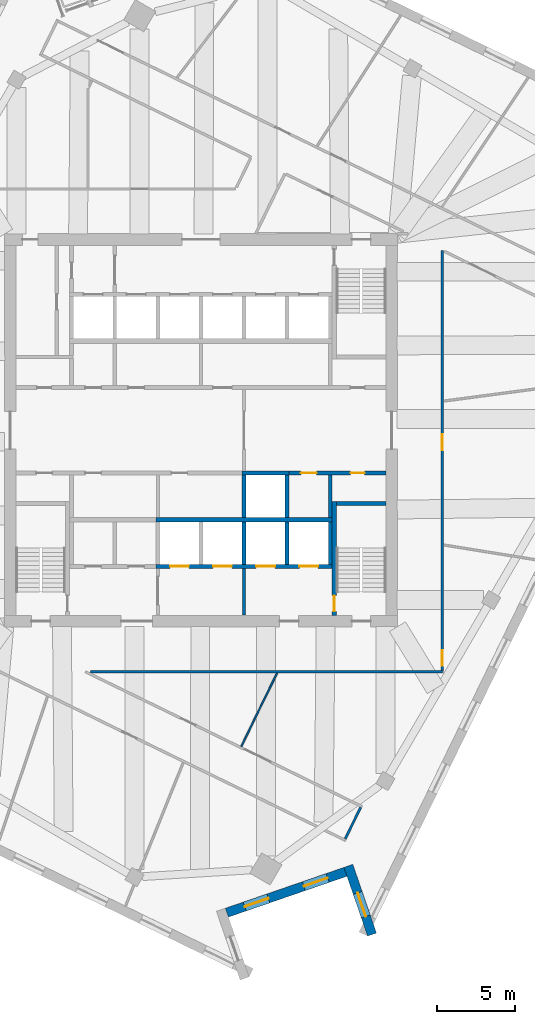
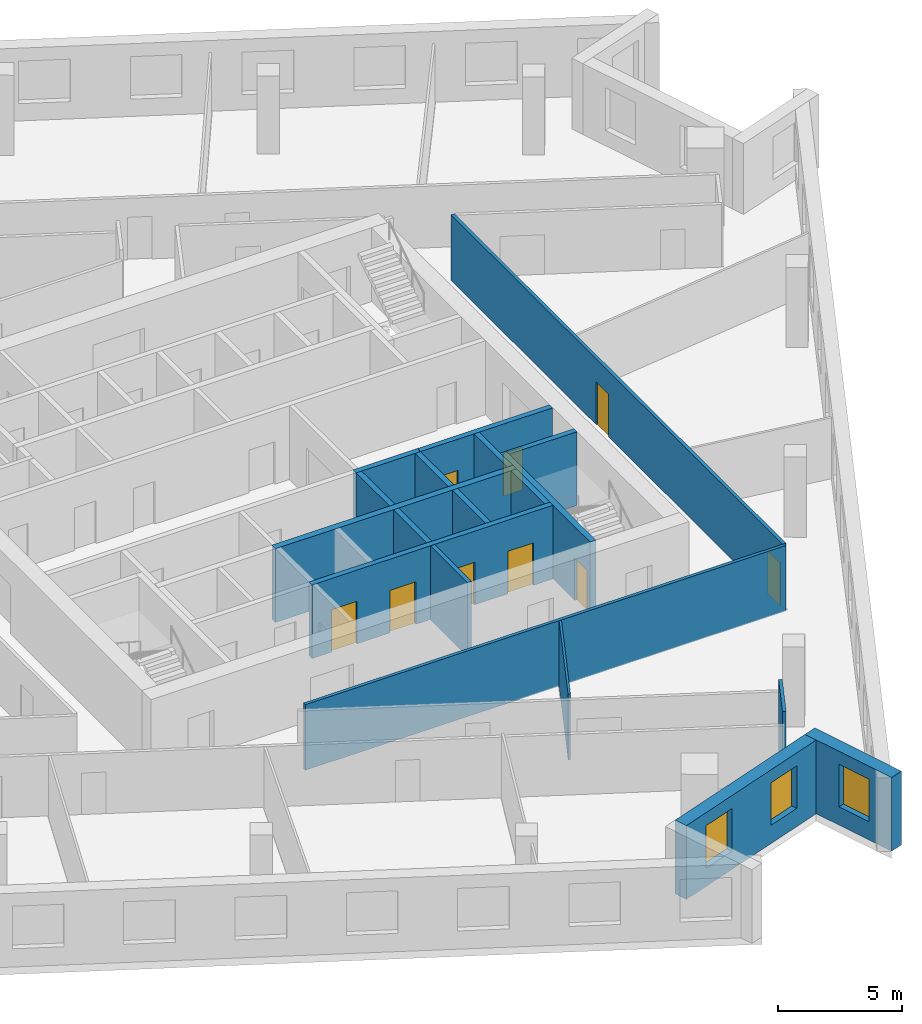
# One storey, part 7 of 13: 19 walls, 9 doors, 3 windows, 12 openings.
"""IFC4 building model written with IfcOpenShell, lengths in metres."""

from ifc_helpers import new_model, si_unit, direction, frame, frame_2d, origin, place, context, subcontext, project, spatial, rectangle, extrude, material, layer, layer_set, type_object, element, fill, save


model = new_model("IFC4")

# Units and contexts
model_context = context("Model", 3, precision=1e-05, world=origin(), true_north=direction((0.0, 1.0)))
body_context = subcontext(model_context, "Body", "Model", "MODEL_VIEW")
ifc_project = project(units=[si_unit("LENGTHUNIT", "METRE"), si_unit("AREAUNIT", "SQUARE_METRE"), si_unit("VOLUMEUNIT", "CUBIC_METRE"), si_unit("PLANEANGLEUNIT", "RADIAN"), si_unit("MASSUNIT", "GRAM", prefix="KILO")], contexts=[model_context])

# Site, building, storey
site_placement = place(None, origin())
site = spatial("IfcSite", under=ifc_project, at=site_placement, CompositionType="ELEMENT")
building_placement = place(site_placement, origin())
building = spatial("IfcBuilding", under=site, at=building_placement, Name="Dilmun Exchange Tower", CompositionType="ELEMENT")
storey_placement = place(building_placement, frame((0.0, 0.0, 282.89990234375)))
storey = spatial("IfcBuildingStorey", under=building, at=storey_placement, Name="L67", CompositionType="ELEMENT", Elevation=282.89990234375)

# Walls
ifc_material_1 = material(Name="Concrete C40/50", Category="concrete")
ifc_layer_1 = layer(ifc_material_1, 0.199951171875)
ifc_layer_set_1 = layer_set([ifc_layer_1], Name="Concrete C40/50")
wall_type_1 = type_object("IfcWallType", Name="Core partition wall 200", PredefinedType="PARTITIONING", material=ifc_layer_set_1)
wall_1_placement = place(storey_placement, frame((2.75, -11.794921875, 0.0), z_axis=(0.0, 0.0, 1.0), x_axis=(0.0, 1.0, 0.0)))
element("IfcWall", 1, at=wall_1_placement, inside=storey, type_object=wall_type_1, Name="L67 core partition wall 02", PredefinedType="PARTITIONING", context=body_context, shape_type="SweptSolid", body=[
    extrude(rectangle(XDim=2.989990234375, YDim=0.199951171875, at=frame_2d((1.4951171875, 0.0))), origin(), (0.0, 0.0, 1.0), 3.64013671875),
])
ifc_layer_2 = layer(ifc_material_1, 0.25)
ifc_layer_set_2 = layer_set([ifc_layer_2], Name="Concrete C40/50")
wall_type_2 = type_object("IfcWallType", Name="Core partition wall 250", PredefinedType="PARTITIONING", material=ifc_layer_set_2)
wall_2_placement = place(storey_placement, frame((8.25, -5.544921875, 0.0), z_axis=(0.0, 0.0, 1.0), x_axis=(0.0, 1.0, 0.0)))
element("IfcWall", 2, at=wall_2_placement, inside=storey, type_object=wall_type_2, Name="L67 core partition wall 09", PredefinedType="PARTITIONING", context=body_context, shape_type="SweptSolid", body=[
    extrude(rectangle(XDim=2.68994140625, YDim=0.25, at=frame_2d((1.344970703125, 0.0))), origin(), (0.0, 0.0, 1.0), 3.64013671875),
])

# Wall, openings, doors
wall_3_placement = place(storey_placement, frame((5.6298828125, -2.72509765625, 0.0), z_axis=(0.0, 0.0, 1.0), x_axis=(1.0, 0.0, 0.0)))
wall_3 = element("IfcWall", 3, at=wall_3_placement, inside=storey, type_object=wall_type_2, Name="L67 core partition wall 11", PredefinedType="PARTITIONING", context=body_context, shape_type="SweptSolid", body=[
    extrude(rectangle(XDim=6.1650390625, YDim=0.25, at=frame_2d((3.08251953125, 0.0))), origin(), (0.0, 0.0, 1.0), 3.64013671875),
])
opening_1_placement = place(wall_3_placement, frame((0.7451171875, 0.0, 0.0)))
opening_1 = element("IfcOpeningElement", 4, at=opening_1_placement, cuts=wall_3, Name="Opening CD4", PredefinedType="OPENING", context=body_context, shape_type="SweptSolid", body=[
    extrude(rectangle(XDim=1.0, YDim=2.10009765625, at=frame_2d((0.5, 1.050048828125))), frame((0.0, 0.135009765625, 0.0), z_axis=(0.0, -1.0, 0.0), x_axis=(1.0, 0.0, 0.0)), (0.0, 0.0, 1.0), 0.27001953125),
])
opening_2_placement = place(wall_3_placement, frame((3.919921875, 0.0, 0.0)))
opening_2 = element("IfcOpeningElement", 5, at=opening_2_placement, cuts=wall_3, Name="Opening CD6", PredefinedType="OPENING", context=body_context, shape_type="SweptSolid", body=[
    extrude(rectangle(XDim=0.89990234375, YDim=2.10009765625, at=frame_2d((0.449951171875, 1.050048828125))), frame((0.0, 0.135009765625, 0.0), z_axis=(0.0, -1.0, 0.0), x_axis=(1.0, 0.0, 0.0)), (0.0, 0.0, 1.0), 0.27001953125),
])
ifc_material_2 = material(Name="Fire-rated steel door set", Category="steel")
door_type_1 = type_object("IfcDoorType", Name="Core room door 1000x2100", OperationType="SINGLE_SWING_LEFT", PredefinedType="DOOR", material=ifc_material_2)
door_1_placement = place(opening_1_placement, origin())
door_1 = element("IfcDoor", 6, at=door_1_placement, inside=storey, type_object=door_type_1, Name="L67 door Cleaners' store", OperationType="SINGLE_SWING_RIGHT", OverallHeight=2.10009765625, OverallWidth=1.0, PredefinedType="DOOR", context=body_context, shape_type="SweptSolid", body=[
    extrude(rectangle(XDim=1.0, YDim=2.10009765625, at=frame_2d((0.5, 1.050048828125))), frame((0.0, 0.02490234375, 0.0), z_axis=(0.0, -1.0, 0.0), x_axis=(1.0, 0.0, 0.0)), (0.0, 0.0, 1.0), 0.050048828125),
])
fill(opening_1, door_1)
door_type_2 = type_object("IfcDoorType", Name="Core room door 900x2100", OperationType="SINGLE_SWING_LEFT", PredefinedType="DOOR", material=ifc_material_2)
door_2_placement = place(opening_2_placement, origin())
door_2 = element("IfcDoor", 7, at=door_2_placement, inside=storey, type_object=door_type_2, Name="L67 door Comms riser", OperationType="SINGLE_SWING_RIGHT", OverallHeight=2.10009765625, OverallWidth=0.89990234375, PredefinedType="DOOR", context=body_context, shape_type="SweptSolid", body=[
    extrude(rectangle(XDim=0.89990234375, YDim=2.10009765625, at=frame_2d((0.449951171875, 1.050048828125))), frame((0.0, 0.02490234375, 0.0), z_axis=(0.0, -1.0, 0.0), x_axis=(1.0, 0.0, 0.0)), (0.0, 0.0, 1.0), 0.050048828125),
])
fill(opening_2, door_2)

# Walls
ifc_material_3 = material(Name="Corridor wall 150")
ifc_layer_3 = layer(ifc_material_3, 0.14990234375)
ifc_layer_set_3 = layer_set([ifc_layer_3], Name="Corridor wall 150")
wall_type_3 = type_object("IfcWallType", Name="Corridor wall 150", PredefinedType="PARTITIONING", material=ifc_layer_set_3)
wall_4_placement = place(storey_placement, frame((-7.043212890625, -15.39990234375, 0.0), z_axis=(0.0, 0.0, 1.0), x_axis=(1.0, 0.0, 0.0)))
element("IfcWall", 8, at=wall_4_placement, inside=storey, type_object=wall_type_3, Name="Corridor wall", PredefinedType="PARTITIONING", context=body_context, shape_type="SweptSolid", body=[
    extrude(rectangle(XDim=22.443115234375, YDim=0.14990234375, at=frame_2d((11.2216796875, 0.0))), origin(), (0.0, 0.0, 1.0), 3.239990234375),
])
wall_5_placement = place(storey_placement, frame((9.203857421875, -26.069580078125, 0.0), z_axis=(0.0, 0.0, 1.0), x_axis=(0.438380874055, 0.89878930193, 0.0)))
element("IfcWall", 9, at=wall_5_placement, inside=storey, type_object=wall_type_3, Name="Corridor wall", PredefinedType="PARTITIONING", context=body_context, shape_type="SweptSolid", body=[
    extrude(rectangle(XDim=2.25, YDim=0.14990234375, at=frame_2d((1.125, 0.0))), origin(), (0.0, 0.0, 1.0), 3.64013671875),
])

# Wall, openings, doors
wall_6_placement = place(storey_placement, frame((15.39990234375, -15.324951171875, 0.0), z_axis=(0.0, 0.0, 1.0), x_axis=(0.0, 1.0, 0.0)))
wall_6 = element("IfcWall", 10, at=wall_6_placement, inside=storey, type_object=wall_type_3, Name="Corridor wall", PredefinedType="PARTITIONING", context=body_context, shape_type="SweptSolid", body=[
    extrude(rectangle(XDim=26.807861328125, YDim=0.14990234375, at=frame_2d((13.40380859375, 0.0))), origin(), (0.0, 0.0, 1.0), 3.239990234375),
])
opening_3_placement = place(wall_6_placement, frame((0.300048828125, 0.0, 0.0)))
opening_3 = element("IfcOpeningElement", 11, at=opening_3_placement, cuts=wall_6, Name="Opening TF67-D13", PredefinedType="OPENING", context=body_context, shape_type="SweptSolid", body=[
    extrude(rectangle(XDim=1.0, YDim=2.10009765625, at=frame_2d((0.5, 1.050048828125))), frame((0.0, 0.0849609375, 0.0), z_axis=(0.0, -1.0, 0.0), x_axis=(1.0, 0.0, 0.0)), (0.0, 0.0, 1.0), 0.169921875),
])
opening_4_placement = place(wall_6_placement, frame((14.071533203125, 0.0, 0.0)))
opening_4 = element("IfcOpeningElement", 12, at=opening_4_placement, cuts=wall_6, Name="Opening TF67-D15", PredefinedType="OPENING", context=body_context, shape_type="SweptSolid", body=[
    extrude(rectangle(XDim=1.0, YDim=2.10009765625, at=frame_2d((0.5, 1.050048828125))), frame((0.0, 0.0849609375, 0.0), z_axis=(0.0, -1.0, 0.0), x_axis=(1.0, 0.0, 0.0)), (0.0, 0.0, 1.0), 0.169921875),
])
ifc_material_4 = material(Name="Fire door 1000 x 2100")
door_type_3 = type_object("IfcDoorType", Name="Fire door 1000 x 2100", OperationType="NOTDEFINED", PredefinedType="DOOR", material=ifc_material_4)
door_3_placement = place(opening_3_placement, frame((1.0, 0.0, 0.0), z_axis=(0.0, 0.0, 1.0), x_axis=(-1.0, 0.0, 0.0)))
door_3 = element("IfcDoor", 13, at=door_3_placement, inside=storey, type_object=door_type_3, Name="Door TF67-D13", OperationType="SINGLE_SWING_RIGHT", OverallHeight=2.10009765625, OverallWidth=1.0, PredefinedType="DOOR", context=body_context, shape_type="SweptSolid", body=[
    extrude(rectangle(XDim=1.0, YDim=2.10009765625, at=frame_2d((0.5, 1.050048828125))), frame((0.0, 0.02490234375, 0.0), z_axis=(0.0, -1.0, 0.0), x_axis=(1.0, 0.0, 0.0)), (0.0, 0.0, 1.0), 0.050048828125),
])
fill(opening_3, door_3)
door_4_placement = place(opening_4_placement, frame((1.0, 0.0, 0.0), z_axis=(0.0, 0.0, 1.0), x_axis=(-1.0, 0.0, 0.0)))
door_4 = element("IfcDoor", 14, at=door_4_placement, inside=storey, type_object=door_type_3, Name="Door TF67-D15", OperationType="SINGLE_SWING_RIGHT", OverallHeight=2.10009765625, OverallWidth=1.0, PredefinedType="DOOR", context=body_context, shape_type="SweptSolid", body=[
    extrude(rectangle(XDim=1.0, YDim=2.10009765625, at=frame_2d((0.5, 1.050048828125))), frame((0.0, 0.02490234375, 0.0), z_axis=(0.0, -1.0, 0.0), x_axis=(1.0, 0.0, 0.0)), (0.0, 0.0, 1.0), 0.050048828125),
])
fill(opening_4, door_4)

# Walls
ifc_layer_4 = layer(ifc_material_1, 0.300048828125)
ifc_layer_set_4 = layer_set([ifc_layer_4], Name="Concrete C40/50")
wall_type_4 = type_object("IfcWallType", Name="Lift shaft shared wall 300", PredefinedType="SOLIDWALL", material=ifc_layer_set_4)
wall_7_placement = place(storey_placement, frame((-2.875, -5.699951171875, 0.0), z_axis=(0.0, 0.0, 1.0), x_axis=(1.0, 0.0, 0.0)))
element("IfcWall", 15, at=wall_7_placement, inside=storey, type_object=wall_type_4, Name="L67 lift shaft rear wall S", PredefinedType="SOLIDWALL", context=body_context, shape_type="SweptSolid", body=[
    extrude(rectangle(XDim=11.25, YDim=0.300048828125, at=frame_2d((5.625, 0.0))), origin(), (0.0, 0.0, 1.0), 3.64013671875),
])
ifc_layer_5 = layer(ifc_material_1, 0.25)
ifc_layer_set_5 = layer_set([ifc_layer_5], Name="Concrete C40/50")
wall_type_5 = type_object("IfcWallType", Name="Lift shaft wall 250", PredefinedType="SOLIDWALL", material=ifc_layer_set_5)
wall_8_placement = place(storey_placement, frame((2.625, -2.72509765625, 0.0), z_axis=(0.0, 0.0, 1.0), x_axis=(1.0, 0.0, 0.0)))
element("IfcWall", 16, at=wall_8_placement, inside=storey, type_object=wall_type_5, Name="L67 lift shaft front wall S1", PredefinedType="SOLIDWALL", context=body_context, shape_type="SweptSolid", body=[
    extrude(rectangle(XDim=3.0, YDim=0.25, at=frame_2d((1.5, 0.0))), origin(), (0.0, 0.0, 1.0), 3.64013671875),
])
for number, where, z_axis, x_axis, name in (
    (17, (2.75, -5.550048828125, 0.0), (0.0, 0.0, 1.0), (0.0, 1.0, 0.0), "L67 lift shaft divider S14"),
    (18, (5.5, -5.550048828125, 0.0), (0.0, 0.0, 1.0), (0.0, 1.0, 0.0), "L67 lift shaft divider S15"),
):
    element("IfcWall", number, at=place(storey_placement, frame(where, z_axis=z_axis, x_axis=x_axis)), inside=storey, type_object=wall_type_5, Name=name, PredefinedType="SOLIDWALL", context=body_context, shape_type="SweptSolid", body=[
        extrude(rectangle(XDim=2.699951171875, YDim=0.25, at=frame_2d((1.35009765625, 0.0))), origin(), (0.0, 0.0, 1.0), 3.64013671875),
    ])

# Wall, openings, doors
wall_9_placement = place(storey_placement, frame((-2.875, -8.675048828125, 0.0), z_axis=(0.0, 0.0, 1.0), x_axis=(1.0, 0.0, 0.0)))
wall_9 = element("IfcWall", 19, at=wall_9_placement, inside=storey, type_object=wall_type_5, Name="L67 lift shaft front wall S2", PredefinedType="SOLIDWALL", context=body_context, shape_type="SweptSolid", body=[
    extrude(rectangle(XDim=11.25, YDim=0.25, at=frame_2d((5.625, 0.0))), origin(), (0.0, 0.0, 1.0), 3.64013671875),
])
opening_5_placement = place(wall_9_placement, frame((0.89990234375, 0.0, 0.0)))
opening_5 = element("IfcOpeningElement", 20, at=opening_5_placement, cuts=wall_9, Name="Opening LD", PredefinedType="OPENING", context=body_context, shape_type="SweptSolid", body=[
    extrude(rectangle(XDim=1.199951171875, YDim=2.10009765625, at=frame_2d((0.60009765625, 1.050048828125))), frame((0.0, 0.135009765625, 0.0), z_axis=(0.0, -1.0, 0.0), x_axis=(1.0, 0.0, 0.0)), (0.0, 0.0, 1.0), 0.27001953125),
])
opening_6_placement = place(wall_9_placement, frame((3.64990234375, 0.0, 0.0)))
opening_6 = element("IfcOpeningElement", 21, at=opening_6_placement, cuts=wall_9, Name="Opening LD", PredefinedType="OPENING", context=body_context, shape_type="SweptSolid", body=[
    extrude(rectangle(XDim=1.199951171875, YDim=2.10009765625, at=frame_2d((0.60009765625, 1.050048828125))), frame((0.0, 0.135009765625, 0.0), z_axis=(0.0, -1.0, 0.0), x_axis=(1.0, 0.0, 0.0)), (0.0, 0.0, 1.0), 0.27001953125),
])
opening_7_placement = place(wall_9_placement, frame((6.39990234375, 0.0, 0.0)))
opening_7 = element("IfcOpeningElement", 22, at=opening_7_placement, cuts=wall_9, Name="Opening LD", PredefinedType="OPENING", context=body_context, shape_type="SweptSolid", body=[
    extrude(rectangle(XDim=1.199951171875, YDim=2.10009765625, at=frame_2d((0.60009765625, 1.050048828125))), frame((0.0, 0.135009765625, 0.0), z_axis=(0.0, -1.0, 0.0), x_axis=(1.0, 0.0, 0.0)), (0.0, 0.0, 1.0), 0.27001953125),
])
opening_8_placement = place(wall_9_placement, frame((9.14990234375, 0.0, 0.0)))
opening_8 = element("IfcOpeningElement", 23, at=opening_8_placement, cuts=wall_9, Name="Opening LD", PredefinedType="OPENING", context=body_context, shape_type="SweptSolid", body=[
    extrude(rectangle(XDim=1.199951171875, YDim=2.10009765625, at=frame_2d((0.60009765625, 1.050048828125))), frame((0.0, 0.135009765625, 0.0), z_axis=(0.0, -1.0, 0.0), x_axis=(1.0, 0.0, 0.0)), (0.0, 0.0, 1.0), 0.27001953125),
])
door_type_4 = type_object("IfcDoorType", Name="Lift landing door 1200x2100", OperationType="DOUBLE_DOOR_SLIDING", PredefinedType="DOOR", material=ifc_material_2)
door_5_placement = place(opening_5_placement, origin())
door_5 = element("IfcDoor", 24, at=door_5_placement, inside=storey, type_object=door_type_4, Name="L67 landing door SV1", OperationType="DOUBLE_DOOR_SLIDING", OverallHeight=2.10009765625, OverallWidth=1.199951171875, PredefinedType="DOOR", context=body_context, shape_type="SweptSolid", body=[
    extrude(rectangle(XDim=1.199951171875, YDim=2.10009765625, at=frame_2d((0.60009765625, 1.050048828125))), frame((0.0, 0.02490234375, 0.0), z_axis=(0.0, -1.0, 0.0), x_axis=(1.0, 0.0, 0.0)), (0.0, 0.0, 1.0), 0.050048828125),
])
fill(opening_5, door_5)
door_6_placement = place(opening_6_placement, origin())
door_6 = element("IfcDoor", 25, at=door_6_placement, inside=storey, type_object=door_type_4, Name="L67 landing door SV2", OperationType="DOUBLE_DOOR_SLIDING", OverallHeight=2.10009765625, OverallWidth=1.199951171875, PredefinedType="DOOR", context=body_context, shape_type="SweptSolid", body=[
    extrude(rectangle(XDim=1.199951171875, YDim=2.10009765625, at=frame_2d((0.60009765625, 1.050048828125))), frame((0.0, 0.02490234375, 0.0), z_axis=(0.0, -1.0, 0.0), x_axis=(1.0, 0.0, 0.0)), (0.0, 0.0, 1.0), 0.050048828125),
])
fill(opening_6, door_6)
door_7_placement = place(opening_7_placement, origin())
door_7 = element("IfcDoor", 26, at=door_7_placement, inside=storey, type_object=door_type_4, Name="L67 landing door FF1", OperationType="DOUBLE_DOOR_SLIDING", OverallHeight=2.10009765625, OverallWidth=1.199951171875, PredefinedType="DOOR", context=body_context, shape_type="SweptSolid", body=[
    extrude(rectangle(XDim=1.199951171875, YDim=2.10009765625, at=frame_2d((0.60009765625, 1.050048828125))), frame((0.0, 0.02490234375, 0.0), z_axis=(0.0, -1.0, 0.0), x_axis=(1.0, 0.0, 0.0)), (0.0, 0.0, 1.0), 0.050048828125),
])
fill(opening_7, door_7)
door_8_placement = place(opening_8_placement, origin())
door_8 = element("IfcDoor", 27, at=door_8_placement, inside=storey, type_object=door_type_4, Name="L67 landing door FF2", OperationType="DOUBLE_DOOR_SLIDING", OverallHeight=2.10009765625, OverallWidth=1.199951171875, PredefinedType="DOOR", context=body_context, shape_type="SweptSolid", body=[
    extrude(rectangle(XDim=1.199951171875, YDim=2.10009765625, at=frame_2d((0.60009765625, 1.050048828125))), frame((0.0, 0.02490234375, 0.0), z_axis=(0.0, -1.0, 0.0), x_axis=(1.0, 0.0, 0.0)), (0.0, 0.0, 1.0), 0.050048828125),
])
fill(opening_8, door_8)

# Walls
for number, where, z_axis, x_axis, name in (
    (28, (2.75, -8.550048828125, 0.0), (0.0, 0.0, 1.0), (0.0, 1.0, 0.0), "L67 lift shaft divider S24"),
    (29, (5.5, -8.550048828125, 0.0), (0.0, 0.0, 1.0), (0.0, 1.0, 0.0), "L67 lift shaft divider S25"),
    (30, (8.25, -8.550048828125, 0.0), (0.0, 0.0, 1.0), (0.0, 1.0, 0.0), "L67 lift shaft divider S26"),
):
    element("IfcWall", number, at=place(storey_placement, frame(where, z_axis=z_axis, x_axis=x_axis)), inside=storey, type_object=wall_type_5, Name=name, PredefinedType="SOLIDWALL", context=body_context, shape_type="SweptSolid", body=[
        extrude(rectangle(XDim=2.699951171875, YDim=0.25, at=frame_2d((1.35009765625, 0.0))), origin(), (0.0, 0.0, 1.0), 3.64013671875),
    ])
ifc_material_5 = material(Name="Partition 100")
ifc_layer_6 = layer(ifc_material_5, 0.10009765625)
ifc_layer_set_6 = layer_set([ifc_layer_6], Name="Partition 100")
wall_type_6 = type_object("IfcWallType", Name="Partition 100", PredefinedType="PARTITIONING", material=ifc_layer_set_6)
wall_10_placement = place(storey_placement, frame((2.572998046875, -20.16552734375, 0.0), z_axis=(0.0, 0.0, 1.0), x_axis=(0.438298611435, 0.898829420532, 0.0)))
element("IfcWall", 31, at=wall_10_placement, inside=storey, type_object=wall_type_6, Name="Partition", PredefinedType="PARTITIONING", context=body_context, shape_type="SweptSolid", body=[
    extrude(rectangle(XDim=5.194091796875, YDim=0.10009765625, at=frame_2d((2.59716796875, 0.0))), origin(), (0.0, 0.0, 1.0), 3.239990234375),
])

# Wall, openings, windows
ifc_material_6 = material(Name="Precast concrete C50/60", Category="concrete")
ifc_layer_7 = layer(ifc_material_6, 0.60009765625)
ifc_layer_set_7 = layer_set([ifc_layer_7], Name="Precast concrete C50/60")
wall_type_7 = type_object("IfcWallType", Name="Precast stone-clad wall 600", PredefinedType="STANDARD", material=ifc_layer_set_7)
wall_11_placement = place(storey_placement, frame((1.654296875, -30.774169921875, 0.0), z_axis=(0.0, 0.0, 1.0), x_axis=(0.945512022477, 0.325587185483, 0.0)))
wall_11 = element("IfcWall", 32, at=wall_11_placement, inside=storey, type_object=wall_type_7, Name="Facade wall L67-09", PredefinedType="STANDARD", context=body_context, shape_type="SweptSolid", body=[
    extrude(rectangle(XDim=8.0, YDim=0.60009765625, at=frame_2d((4.0, 0.0))), origin(), (0.0, 0.0, 1.0), 3.64013671875),
])
opening_9_placement = place(wall_11_placement, frame((1.199951171875, 0.0, 0.89990234375)))
opening_9 = element("IfcOpeningElement", 33, at=opening_9_placement, cuts=wall_11, Name="Opening W160-210", PredefinedType="OPENING", context=body_context, shape_type="SweptSolid", body=[
    extrude(rectangle(XDim=1.60009765625, YDim=2.10009765625, at=frame_2d((0.800048828125, 1.050048828125))), frame((0.0, 0.31005859375, 0.0), z_axis=(0.0, -1.0, 0.0), x_axis=(1.0, 0.0, 0.0)), (0.0, 0.0, 1.0), 0.6201171875),
])
opening_10_placement = place(wall_11_placement, frame((5.199951171875, 0.0, 0.89990234375)))
opening_10 = element("IfcOpeningElement", 34, at=opening_10_placement, cuts=wall_11, Name="Opening W160-210", PredefinedType="OPENING", context=body_context, shape_type="SweptSolid", body=[
    extrude(rectangle(XDim=1.60009765625, YDim=2.10009765625, at=frame_2d((0.800048828125, 1.050048828125))), frame((0.0, 0.31005859375, 0.0), z_axis=(0.0, -1.0, 0.0), x_axis=(1.0, 0.0, 0.0)), (0.0, 0.0, 1.0), 0.6201171875),
])
ifc_material_7 = material(Name="Clear low-emissivity glass in aluminium frame", Category="aluminium")
window_type = type_object("IfcWindowType", Name="Punched window 1600 x 2100", PartitioningType="DOUBLE_PANEL_VERTICAL", PredefinedType="WINDOW", material=ifc_material_7)
window_1_placement = place(opening_9_placement, origin())
window_1 = element("IfcWindow", 35, at=window_1_placement, inside=storey, type_object=window_type, Name="Window 10.1", OverallHeight=2.10009765625, OverallWidth=1.60009765625, PartitioningType="SINGLE_PANEL", PredefinedType="WINDOW", context=body_context, shape_type="SweptSolid", body=[
    extrude(rectangle(XDim=1.60009765625, YDim=2.10009765625, at=frame_2d((0.800048828125, 1.050048828125))), frame((0.0, 0.030029296875, 0.0), z_axis=(0.0, -1.0, 0.0), x_axis=(1.0, 0.0, 0.0)), (0.0, 0.0, 1.0), 0.06005859375),
])
fill(opening_9, window_1)
window_2_placement = place(opening_10_placement, origin())
window_2 = element("IfcWindow", 36, at=window_2_placement, inside=storey, type_object=window_type, Name="Window 10.2", OverallHeight=2.10009765625, OverallWidth=1.60009765625, PartitioningType="SINGLE_PANEL", PredefinedType="WINDOW", context=body_context, shape_type="SweptSolid", body=[
    extrude(rectangle(XDim=1.60009765625, YDim=2.10009765625, at=frame_2d((0.800048828125, 1.050048828125))), frame((0.0, 0.030029296875, 0.0), z_axis=(0.0, -1.0, 0.0), x_axis=(1.0, 0.0, 0.0)), (0.0, 0.0, 1.0), 0.06005859375),
])
fill(opening_10, window_2)

# Wall, opening, window
wall_12_placement = place(storey_placement, frame((9.404541015625, -27.7880859375, 0.0), z_axis=(0.0, 0.0, 1.0), x_axis=(0.325581637261, -0.94551393299, 0.0)))
wall_12 = element("IfcWall", 37, at=wall_12_placement, inside=storey, type_object=wall_type_7, Name="Facade wall L67-10", PredefinedType="STANDARD", context=body_context, shape_type="SweptSolid", body=[
    extrude(rectangle(XDim=4.6357421875, YDim=0.60009765625, at=frame_2d((2.31787109375, 0.0))), origin(), (0.0, 0.0, 1.0), 3.64013671875),
])
opening_11_placement = place(wall_12_placement, frame((1.81787109375, 0.0, 0.89990234375)))
opening_11 = element("IfcOpeningElement", 38, at=opening_11_placement, cuts=wall_12, Name="Opening W160-210", PredefinedType="OPENING", context=body_context, shape_type="SweptSolid", body=[
    extrude(rectangle(XDim=1.60009765625, YDim=2.10009765625, at=frame_2d((0.800048828125, 1.050048828125))), frame((0.0, 0.31005859375, 0.0), z_axis=(0.0, -1.0, 0.0), x_axis=(1.0, 0.0, 0.0)), (0.0, 0.0, 1.0), 0.6201171875),
])
window_3_placement = place(opening_11_placement, origin())
window_3 = element("IfcWindow", 39, at=window_3_placement, inside=storey, type_object=window_type, Name="Window 11.1", OverallHeight=2.10009765625, OverallWidth=1.60009765625, PartitioningType="SINGLE_PANEL", PredefinedType="WINDOW", context=body_context, shape_type="SweptSolid", body=[
    extrude(rectangle(XDim=1.60009765625, YDim=2.10009765625, at=frame_2d((0.800048828125, 1.050048828125))), frame((0.0, 0.030029296875, 0.0), z_axis=(0.0, -1.0, 0.0), x_axis=(1.0, 0.0, 0.0)), (0.0, 0.0, 1.0), 0.06005859375),
])
fill(opening_11, window_3)

# Wall
ifc_layer_8 = layer(ifc_material_1, 0.25)
ifc_layer_set_8 = layer_set([ifc_layer_8], Name="Concrete C40/50")
wall_type_8 = type_object("IfcWallType", Name="Stair end wall 250", PredefinedType="SOLIDWALL", material=ifc_layer_set_8)
wall_13_placement = place(storey_placement, frame((8.64990234375, -4.675048828125, 0.0), z_axis=(0.0, 0.0, 1.0), x_axis=(1.0, 0.0, 0.0)))
element("IfcWall", 40, at=wall_13_placement, inside=storey, type_object=wall_type_8, Name="L67 ST3 far wall", PredefinedType="SOLIDWALL", context=body_context, shape_type="SweptSolid", body=[
    extrude(rectangle(XDim=3.150146484375, YDim=0.25, at=frame_2d((1.5751953125, 0.0))), origin(), (0.0, 0.0, 1.0), 3.64013671875),
])

# Wall, opening, door
ifc_layer_9 = layer(ifc_material_1, 0.27490234375)
ifc_layer_set_9 = layer_set([ifc_layer_9], Name="Concrete C40/50")
wall_type_9 = type_object("IfcWallType", Name="Stair wall 275", PredefinedType="SOLIDWALL", material=ifc_layer_set_9)
wall_14_placement = place(storey_placement, frame((8.512451171875, -4.550048828125, 0.0), z_axis=(0.0, 0.0, 1.0), x_axis=(0.0, -1.0, 0.0)))
wall_14 = element("IfcWall", 41, at=wall_14_placement, inside=storey, type_object=wall_type_9, Name="L67 ST3 wall to lift block", PredefinedType="SOLIDWALL", context=body_context, shape_type="SweptSolid", body=[
    extrude(rectangle(XDim=7.25, YDim=0.27490234375, at=frame_2d((3.625, 0.0))), origin(), (0.0, 0.0, 1.0), 3.64013671875),
])
opening_12_placement = place(wall_14_placement, frame((6.0, 0.0, 0.0)))
opening_12 = element("IfcOpeningElement", 42, at=opening_12_placement, cuts=wall_14, Name="Opening CD4", PredefinedType="OPENING", context=body_context, shape_type="SweptSolid", body=[
    extrude(rectangle(XDim=1.0, YDim=2.10009765625, at=frame_2d((0.5, 1.050048828125))), frame((0.0, 0.1474609375, 0.0), z_axis=(0.0, -1.0, 0.0), x_axis=(1.0, 0.0, 0.0)), (0.0, 0.0, 1.0), 0.294921875),
])
door_9_placement = place(opening_12_placement, origin())
door_9 = element("IfcDoor", 43, at=door_9_placement, inside=storey, type_object=door_type_1, Name="L67 door ST3 from lobby", OperationType="SINGLE_SWING_LEFT", OverallHeight=2.10009765625, OverallWidth=1.0, PredefinedType="DOOR", context=body_context, shape_type="SweptSolid", body=[
    extrude(rectangle(XDim=1.0, YDim=2.10009765625, at=frame_2d((0.5, 1.050048828125))), frame((0.0, 0.02490234375, 0.0), z_axis=(0.0, -1.0, 0.0), x_axis=(1.0, 0.0, 0.0)), (0.0, 0.0, 1.0), 0.050048828125),
])
fill(opening_12, door_9)

save(model, "model.ifc")
